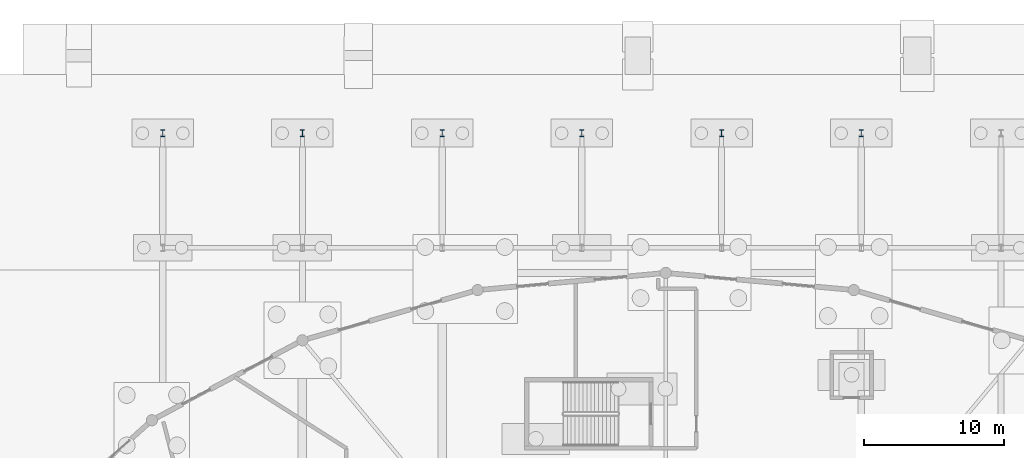
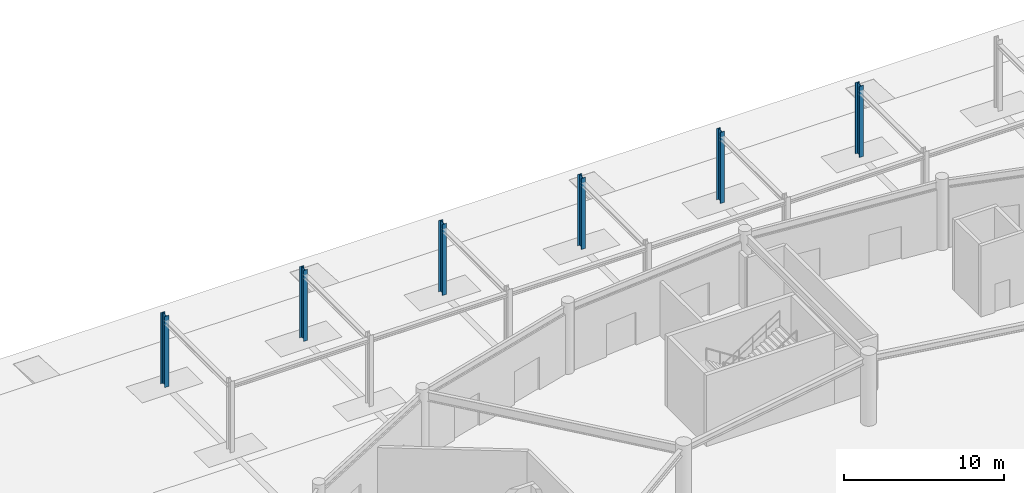
# One storey, part 27 of 99: 6 columns.
"""IFC4 building model written with IfcOpenShell, lengths in metres."""

from ifc_helpers import new_model, si_unit, direction, frame, origin, origin_2d, place, context, subcontext, project, spatial, i_section, extrude, material, material_profile, profile_set, type_object, element, save


model = new_model("IFC4")

# Units and contexts
model_context = context("Model", 3, precision=1e-05, world=origin(), true_north=direction((0.0, 1.0)))
body_context = subcontext(model_context, "Body", "Model", "MODEL_VIEW")
ifc_project = project(units=[si_unit("LENGTHUNIT", "METRE"), si_unit("AREAUNIT", "SQUARE_METRE"), si_unit("VOLUMEUNIT", "CUBIC_METRE"), si_unit("PLANEANGLEUNIT", "RADIAN"), si_unit("MASSUNIT", "GRAM", prefix="KILO")], contexts=[model_context])

# Site, building, storey
site_placement = place(None, origin())
site = spatial("IfcSite", under=ifc_project, at=site_placement, CompositionType="ELEMENT")
building_placement = place(site_placement, origin())
building = spatial("IfcBuilding", under=site, at=building_placement, Name="Kivolera Central Railway Station", CompositionType="ELEMENT")
storey_placement = place(building_placement, origin())
storey = spatial("IfcBuildingStorey", under=building, at=storey_placement, Name="L00", CompositionType="ELEMENT", Elevation=0.0)

# Columns
ifc_material = material(Name="Steel S355", Category="steel")
ifc_material_profile = material_profile(ifc_material, i_section(OverallWidth=0.300048828125, OverallDepth=0.5, WebThickness=0.014404296875, FlangeThickness=0.028076171875, FilletRadius=0.027099609375, at=origin_2d()), Name="HEB 500")
ifc_profile_set = profile_set([ifc_material_profile], Name="Steel S355")
column_type = type_object("IfcColumnType", Name="COL-STL-HEB500", PredefinedType="COLUMN", material=ifc_profile_set)
for number, where, z_axis, x_axis, name in (
    (1, (28.0, 136.0, 0.0), (0.0, 0.0, 1.0), (1.0, 0.0, 0.0), "L00 Forecourt Canopy Pier 1N"),
    (2, (38.0, 136.0, 0.0), (0.0, 0.0, 1.0), (1.0, 0.0, 0.0), "L00 Forecourt Canopy Pier 2N"),
    (3, (48.0, 136.0, 0.0), (0.0, 0.0, 1.0), (1.0, 0.0, 0.0), "L00 Forecourt Canopy Pier 3N"),
    (4, (58.0, 136.0, 0.0), (0.0, 0.0, 1.0), (1.0, 0.0, 0.0), "L00 Forecourt Canopy Pier 4N"),
    (5, (68.0, 136.0, 0.0), (0.0, 0.0, 1.0), (1.0, 0.0, 0.0), "L00 Forecourt Canopy Pier 5N"),
    (6, (78.0, 136.0, 0.0), (0.0, 0.0, 1.0), (1.0, 0.0, 0.0), "L00 Forecourt Canopy Pier 6N"),
):
    element("IfcColumn", number, at=place(storey_placement, frame(where, z_axis=z_axis, x_axis=x_axis)), inside=storey, type_object=column_type, Name=name, PredefinedType="COLUMN", context=body_context, shape_type="SweptSolid", body=[
        extrude(i_section(OverallWidth=0.300048828125, OverallDepth=0.5, WebThickness=0.014404296875, FlangeThickness=0.028076171875, FilletRadius=0.027099609375, at=origin_2d()), origin(), (0.0, 0.0, 1.0), 5.39990234375),
    ])

save(model, "model.ifc")
